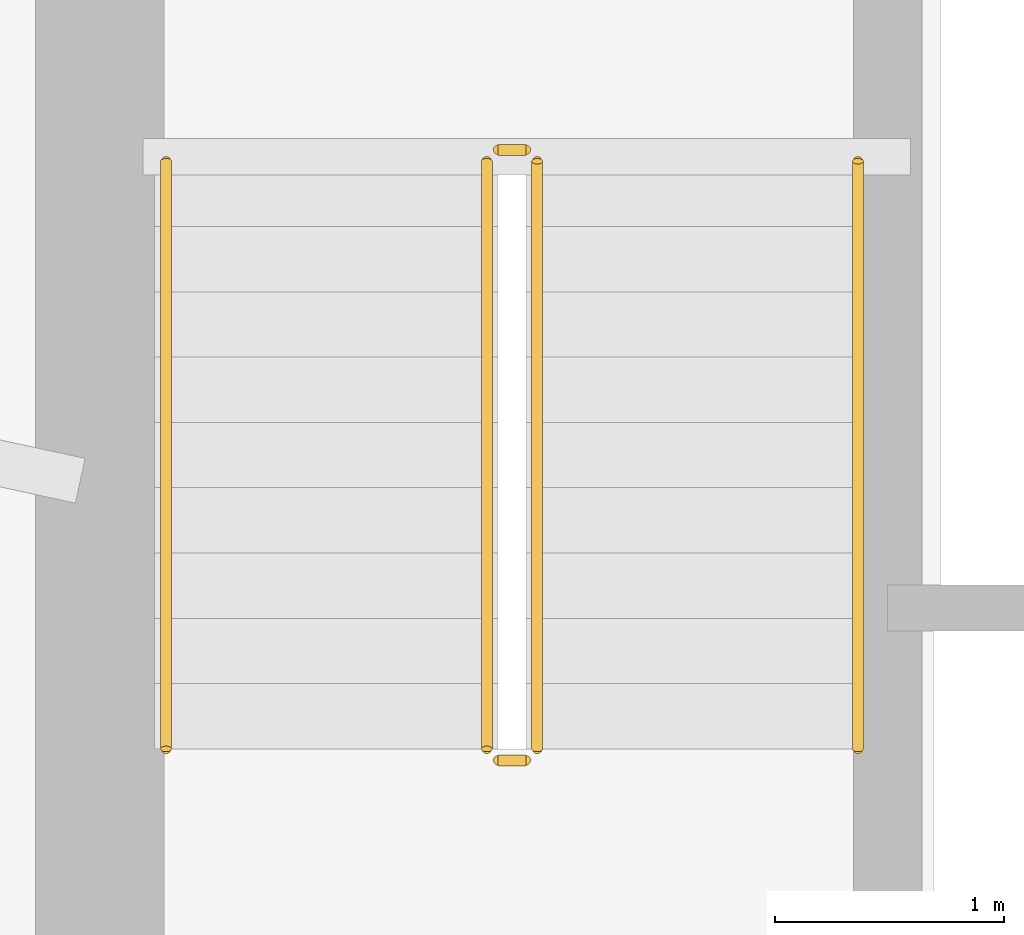
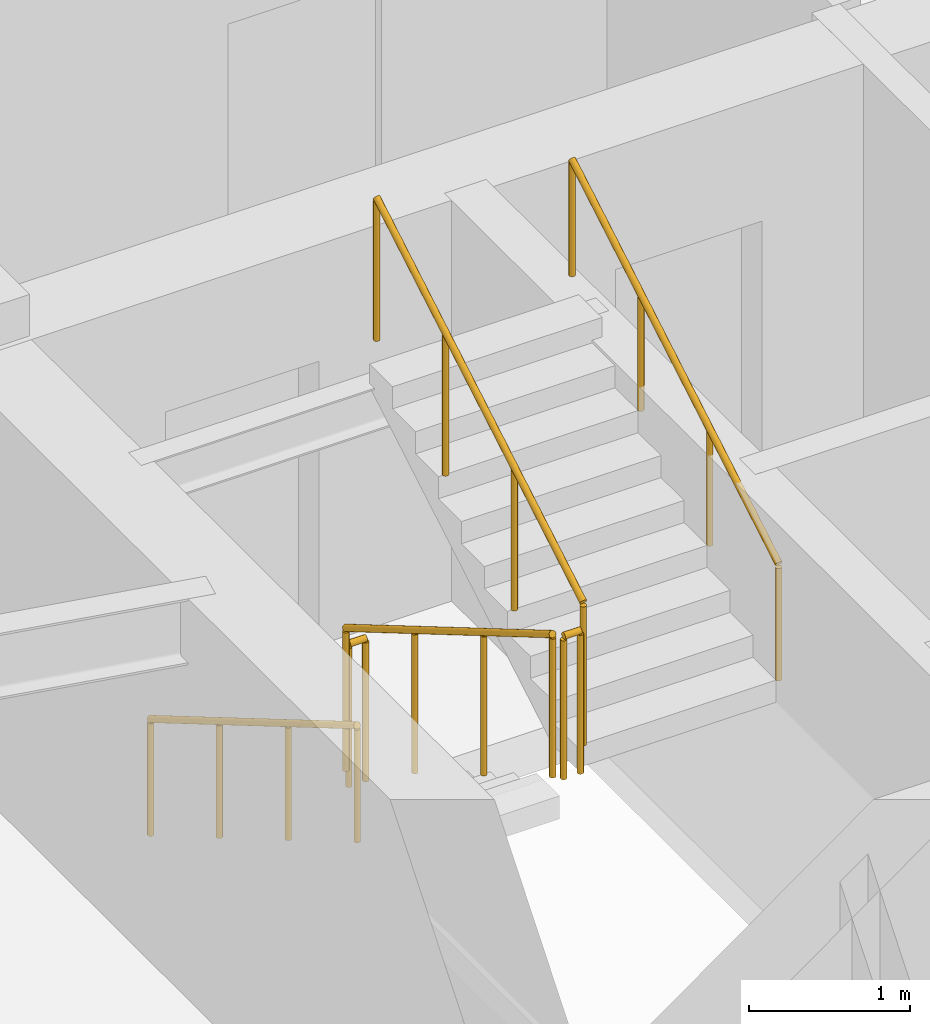
# One storey, part 19 of 20: 6 railings.
"""IFC4 building model written with IfcOpenShell, lengths in metres."""

from ifc_helpers import new_model, si_unit, direction, frame, origin, origin_2d, place, context, subcontext, project, spatial, circle, extrude, material, type_object, element, save


model = new_model("IFC4")

# Units and contexts
model_context = context("Model", 3, precision=1e-05, world=origin(), true_north=direction((0.0, 1.0)))
body_context = subcontext(model_context, "Body", "Model", "MODEL_VIEW")
ifc_project = project(units=[si_unit("LENGTHUNIT", "METRE"), si_unit("AREAUNIT", "SQUARE_METRE"), si_unit("VOLUMEUNIT", "CUBIC_METRE"), si_unit("PLANEANGLEUNIT", "RADIAN"), si_unit("MASSUNIT", "GRAM", prefix="KILO")], contexts=[model_context])

# Site, building, storey
site_placement = place(None, origin())
site = spatial("IfcSite", under=ifc_project, at=site_placement, CompositionType="ELEMENT")
building_placement = place(site_placement, origin())
building = spatial("IfcBuilding", under=site, at=building_placement, Name="Qobustan Lattice House", CompositionType="ELEMENT")
storey_placement = place(building_placement, frame((0.0, 0.0, 63.85009765625)))
storey = spatial("IfcBuildingStorey", under=building, at=storey_placement, Name="L17", CompositionType="ELEMENT", Elevation=63.85009765625)

# Railings
ifc_material_1 = material(Name="Brushed stainless steel handrail", Category="steel")
railing_type_1 = type_object("IfcRailingType", Name="RAL-HR-920", PredefinedType="HANDRAIL", material=ifc_material_1)
railing_1_placement = place(storey_placement, frame((-18.199951171875, 3.5, 0.16748046875)))
element("IfcRailing", 1, at=railing_1_placement, inside=storey, type_object=railing_type_1, Name="L17 ST-W1 stair handrail 1", PredefinedType="HANDRAIL", context=body_context, shape_type="SweptSolid", body=[
    extrude(circle(Radius=0.02392578125, at=origin_2d()), frame((0.0, 0.0, 0.8759765625), z_axis=(0.0, -0.862149314443, 0.506654280161), x_axis=(1.0, 0.0, 0.0)), (0.0, 0.0, 1.0), 2.97509765625),
    extrude(circle(Radius=0.02099609375, at=origin_2d()), origin(), (0.0, 0.0, 1.0), 0.851806640625),
    extrude(circle(Radius=0.02099609375, at=origin_2d()), frame((0.0, -0.85498046875, 0.50244140625)), (0.0, 0.0, 1.0), 0.851806640625),
    extrude(circle(Radius=0.02099609375, at=origin_2d()), frame((0.0, -1.7099609375, 1.0048828125)), (0.0, 0.0, 1.0), 0.851806640625),
    extrude(circle(Radius=0.02099609375, at=origin_2d()), frame((0.0, -2.56494140625, 1.50732421875)), (0.0, 0.0, 1.0), 0.851806640625),
])
railing_2_placement = place(storey_placement, frame((-15.179931640625, 0.93505859375, 1.84228515625)))
element("IfcRailing", 2, at=railing_2_placement, inside=storey, type_object=railing_type_1, Name="L17 ST-W1 stair handrail 2", PredefinedType="HANDRAIL", context=body_context, shape_type="SweptSolid", body=[
    extrude(circle(Radius=0.02392578125, at=origin_2d()), frame((0.0, 0.0, 0.8759765625), z_axis=(0.0, 0.862113467892, 0.50671527358), x_axis=(-1.0, 0.0, 0.0)), (0.0, 0.0, 1.0), 2.97509765625),
    extrude(circle(Radius=0.02099609375, at=origin_2d()), origin(), (0.0, 0.0, 1.0), 0.851806640625),
    extrude(circle(Radius=0.02099609375, at=origin_2d()), frame((0.0, 0.85498046875, 0.50244140625)), (0.0, 0.0, 1.0), 0.851806640625),
    extrude(circle(Radius=0.02099609375, at=origin_2d()), frame((0.0, 1.7099609375, 1.005126953125)), (0.0, 0.0, 1.0), 0.851806640625),
    extrude(circle(Radius=0.02099609375, at=origin_2d()), frame((0.0, 2.56494140625, 1.507568359375)), (0.0, 0.0, 1.0), 0.851806640625),
])
ifc_material_2 = material(Name="Painted galvanized steel guardrail", Category="steel")
railing_type_2 = type_object("IfcRailingType", Name="RAL-STG-1150", PredefinedType="GUARDRAIL", material=ifc_material_2)
railing_3_placement = place(storey_placement, frame((-16.800048828125, 3.5, 0.16748046875)))
element("IfcRailing", 3, at=railing_3_placement, inside=storey, type_object=railing_type_2, Name="L17 ST-W1 stair guard 1", PredefinedType="GUARDRAIL", context=body_context, shape_type="SweptSolid", body=[
    extrude(circle(Radius=0.02392578125, at=origin_2d()), frame((0.0, 0.0, 1.076171875), z_axis=(0.0, -0.862149314443, 0.506654280161), x_axis=(1.0, 0.0, 0.0)), (0.0, 0.0, 1.0), 2.97509765625),
    extrude(circle(Radius=0.02099609375, at=origin_2d()), origin(), (0.0, 0.0, 1.0), 1.052001953125),
    extrude(circle(Radius=0.02099609375, at=origin_2d()), frame((0.0, -0.85498046875, 0.50244140625)), (0.0, 0.0, 1.0), 1.052001953125),
    extrude(circle(Radius=0.02099609375, at=origin_2d()), frame((0.0, -1.7099609375, 1.0048828125)), (0.0, 0.0, 1.0), 1.052001953125),
    extrude(circle(Radius=0.02099609375, at=origin_2d()), frame((0.0, -2.56494140625, 1.50732421875)), (0.0, 0.0, 1.0), 1.052001953125),
])
railing_4_placement = place(storey_placement, frame((-16.75, 0.885009765625, 1.6748046875)))
element("IfcRailing", 4, at=railing_4_placement, inside=storey, type_object=railing_type_2, Name="L17 ST-W1 stair guard 2", PredefinedType="GUARDRAIL", context=body_context, shape_type="SweptSolid", body=[
    extrude(circle(Radius=0.02392578125, at=origin_2d()), frame((0.0, 0.0, 1.076171875), z_axis=(1.0, 0.0, 0.0), x_axis=(0.0, 1.0, 0.0)), (0.0, 0.0, 1.0), 0.1201171875),
    extrude(circle(Radius=0.02099609375, at=origin_2d()), origin(), (0.0, 0.0, 1.0), 1.052001953125),
    extrude(circle(Radius=0.02099609375, at=origin_2d()), frame((0.1201171875, 0.0, 0.0)), (0.0, 0.0, 1.0), 1.052001953125),
])
railing_5_placement = place(storey_placement, frame((-16.580078125, 0.93505859375, 1.84228515625)))
element("IfcRailing", 5, at=railing_5_placement, inside=storey, type_object=railing_type_2, Name="L17 ST-W1 stair guard 3", PredefinedType="GUARDRAIL", context=body_context, shape_type="SweptSolid", body=[
    extrude(circle(Radius=0.02392578125, at=origin_2d()), frame((0.0, 0.0, 1.076171875), z_axis=(0.0, 0.862113467892, 0.50671527358), x_axis=(-1.0, 0.0, 0.0)), (0.0, 0.0, 1.0), 2.97509765625),
    extrude(circle(Radius=0.02099609375, at=origin_2d()), origin(), (0.0, 0.0, 1.0), 1.052001953125),
    extrude(circle(Radius=0.02099609375, at=origin_2d()), frame((0.0, 0.85498046875, 0.50244140625)), (0.0, 0.0, 1.0), 1.052001953125),
    extrude(circle(Radius=0.02099609375, at=origin_2d()), frame((0.0, 1.7099609375, 1.005126953125)), (0.0, 0.0, 1.0), 1.052001953125),
    extrude(circle(Radius=0.02099609375, at=origin_2d()), frame((0.0, 2.56494140625, 1.507568359375)), (0.0, 0.0, 1.0), 1.052001953125),
])
railing_6_placement = place(storey_placement, frame((-16.75, 3.550048828125, 0.0)))
element("IfcRailing", 6, at=railing_6_placement, inside=storey, type_object=railing_type_2, Name="L17 ST-W1 stair guard 4", PredefinedType="GUARDRAIL", context=body_context, shape_type="SweptSolid", body=[
    extrude(circle(Radius=0.02392578125, at=origin_2d()), frame((0.0, 0.0, 1.076171875), z_axis=(1.0, 0.0, 0.0), x_axis=(0.0, 1.0, 0.0)), (0.0, 0.0, 1.0), 0.1201171875),
    extrude(circle(Radius=0.02099609375, at=origin_2d()), origin(), (0.0, 0.0, 1.0), 1.052001953125),
    extrude(circle(Radius=0.02099609375, at=origin_2d()), frame((0.1201171875, 0.0, 0.0)), (0.0, 0.0, 1.0), 1.052001953125),
])

save(model, "model.ifc")
